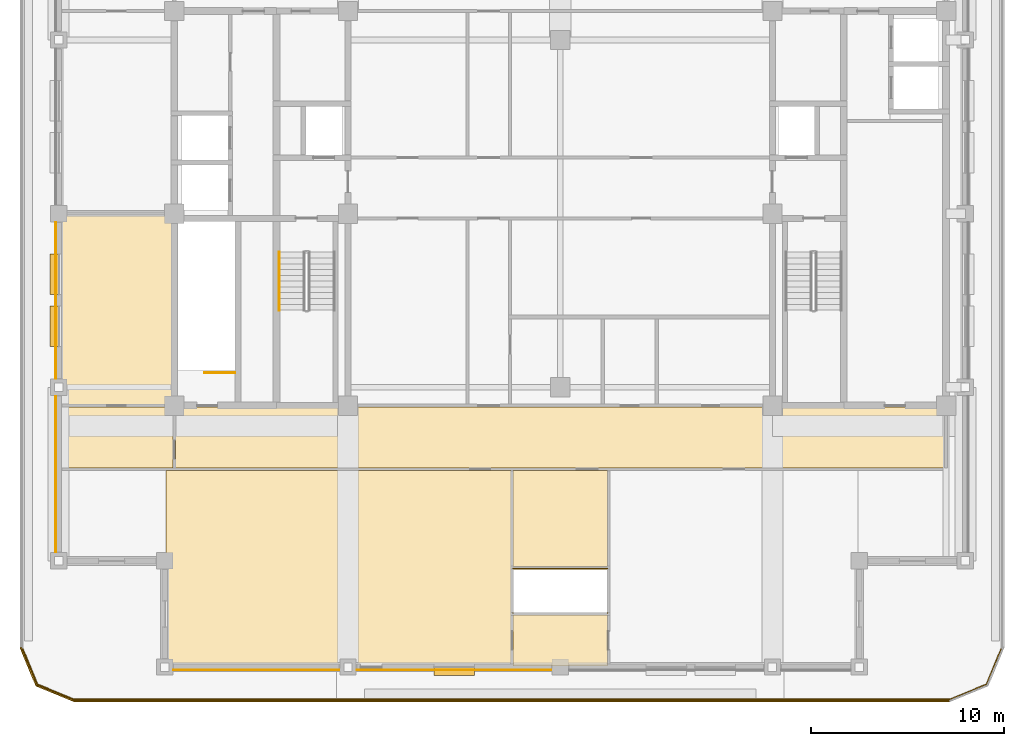
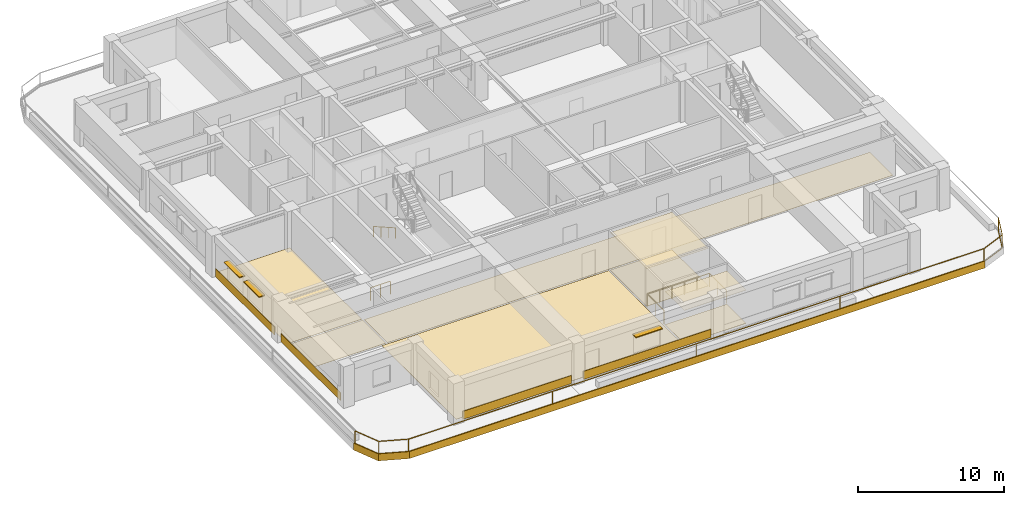
# One storey, part 7 of 11: 15 coverings, 4 railings, 3 shading devices.
"""IFC4 building model written with IfcOpenShell, lengths in metres."""

from ifc_helpers import new_model, si_unit, direction, frame, frame_2d, origin, origin_2d, place, context, subcontext, project, spatial, polyline, rectangle, outline, extrude, material, layer, layer_set, type_object, element, save


model = new_model("IFC4")

# Units and contexts
model_context = context("Model", 3, precision=1e-05, world=origin(), true_north=direction((0.0, 1.0)))
body_context = subcontext(model_context, "Body", "Model", "MODEL_VIEW")
ifc_project = project(units=[si_unit("LENGTHUNIT", "METRE"), si_unit("AREAUNIT", "SQUARE_METRE"), si_unit("VOLUMEUNIT", "CUBIC_METRE"), si_unit("PLANEANGLEUNIT", "RADIAN"), si_unit("MASSUNIT", "GRAM", prefix="KILO")], contexts=[model_context])

# Site, building, storey
site_placement = place(None, origin())
site = spatial("IfcSite", under=ifc_project, at=site_placement, CompositionType="ELEMENT")
building_placement = place(site_placement, origin())
building = spatial("IfcBuilding", under=site, at=building_placement, Name="Zulmaris Gate Convention Tower", CompositionType="ELEMENT")
storey_placement = place(building_placement, frame((0.0, 0.0, 278.06005859375)))
storey = spatial("IfcBuildingStorey", under=building, at=storey_placement, Name="L74", CompositionType="ELEMENT", Elevation=278.06005859375)

# Coverings
ifc_material_1 = material(Name="Precast concrete C40/50", Category="concrete")
ifc_layer_1 = layer(ifc_material_1, 0.0400390625, Name="Precast concrete C40/50")
ifc_layer_set_1 = layer_set([ifc_layer_1], Name="Precast concrete C40/50")
covering_type_1 = type_object("IfcCoveringType", Name="CLAD-SPANDREL-PRECAST", PredefinedType="CLADDING", material=ifc_layer_set_1)
covering_1_placement = place(storey_placement, frame((-20.044921875, -23.64990234375, 0.0), z_axis=(0.0, 0.0, 1.0), x_axis=(1.0, 0.0, 0.0)))
element("IfcCovering", 1, at=covering_1_placement, inside=storey, type_object=covering_type_1, Name="CLD-L74-S-0_0", PredefinedType="CLADDING", context=body_context, shape_type="SweptSolid", body=[
    extrude(rectangle(XDim=8.58984375, YDim=0.0400390625, at=frame_2d((4.294921875, 0.0))), origin(), (0.0, 0.0, 1.0), 0.679931640625),
])
covering_2_placement = place(storey_placement, frame((-10.544921875, -23.64990234375, 0.0), z_axis=(0.0, 0.0, 1.0), x_axis=(1.0, 0.0, 0.0)))
element("IfcCovering", 2, at=covering_2_placement, inside=storey, type_object=covering_type_1, Name="CLD-L74-S-1_0", PredefinedType="CLADDING", context=body_context, shape_type="SweptSolid", body=[
    extrude(rectangle(XDim=10.08984375, YDim=0.0400390625, at=frame_2d((5.044921875, 0.0))), origin(), (0.0, 0.0, 1.0), 0.679931640625),
])
for number, where, z_axis, x_axis, name in (
    (3, (-26.14990234375, -9.455078125, 0.0), (0.0, 0.0, 1.0), (0.0, -1.0, 0.0), "CLD-L74-W-0_0"),
    (4, (-26.14990234375, -0.455078125, 0.0), (0.0, 0.0, 1.0), (0.0, -1.0, 0.0), "CLD-L74-W-1_0"),
):
    element("IfcCovering", number, at=place(storey_placement, frame(where, z_axis=z_axis, x_axis=x_axis)), inside=storey, type_object=covering_type_1, Name=name, PredefinedType="CLADDING", context=body_context, shape_type="SweptSolid", body=[
        extrude(rectangle(XDim=8.08984375, YDim=0.0400390625, at=frame_2d((4.044921875, 0.0))), origin(), (0.0, 0.0, 1.0), 0.679931640625),
    ])
ifc_material_2 = material(Name="White Glazed Architectural Precast Concrete C40/50", Category="concrete")
ifc_layer_2 = layer(ifc_material_2, 0.080078125, Name="White Glazed Architectural Precast Concrete C40/50")
ifc_layer_set_2 = layer_set([ifc_layer_2], Name="White Glazed Architectural Precast Concrete C40/50")
covering_type_2 = type_object("IfcCoveringType", Name="CLAD-TRAY-FASCIA", PredefinedType="CLADDING", material=ifc_layer_set_2)
covering_3_placement = place(storey_placement, frame((-27.962890625, -22.484619140625, -0.46484375), z_axis=(0.0, 0.0, 1.0), x_axis=(0.382656984709, -0.923890487046, 0.0)))
element("IfcCovering", 5, at=covering_3_placement, inside=storey, type_object=covering_type_2, Name="FSC-L74-TR-00", PredefinedType="CLADDING", context=body_context, shape_type="SweptSolid", body=[
    extrude(rectangle(XDim=2.14306640625, YDim=0.080078125, at=frame_2d((1.071533203125, 0.0))), origin(), (0.0, 0.0, 1.0), 0.5849609375),
])
covering_4_placement = place(storey_placement, frame((-27.16455078125, -24.44287109375, -0.46484375), z_axis=(0.0, 0.0, 1.0), x_axis=(0.923873803533, -0.382697263049, 0.0)))
element("IfcCovering", 6, at=covering_4_placement, inside=storey, type_object=covering_type_2, Name="FSC-L74-TR-01", PredefinedType="CLADDING", context=body_context, shape_type="SweptSolid", body=[
    extrude(rectangle(XDim=2.142822265625, YDim=0.080078125, at=frame_2d((1.0712890625, 0.0))), origin(), (0.0, 0.0, 1.0), 0.5849609375),
])
covering_5_placement = place(storey_placement, frame((-25.199951171875, -25.260009765625, -0.46484375), z_axis=(0.0, 0.0, 1.0), x_axis=(1.0, 0.0, 0.0)))
element("IfcCovering", 7, at=covering_5_placement, inside=storey, type_object=covering_type_2, Name="FSC-L74-TR-02", PredefinedType="CLADDING", context=body_context, shape_type="SweptSolid", body=[
    extrude(rectangle(XDim=45.39990234375, YDim=0.080078125, at=frame_2d((22.699951171875, 0.0))), origin(), (0.0, 0.0, 1.0), 0.5849609375),
])
ifc_material_3 = material(Name="Mineral Fibre Acoustic Ceiling Tile")
ifc_layer_3 = layer(ifc_material_3, 0.02001953125, Name="Mineral Fibre Acoustic Ceiling Tile")
ifc_layer_set_3 = layer_set([ifc_layer_3], Name="Mineral Fibre Acoustic Ceiling Tile")
covering_type_3 = type_object("IfcCoveringType", Name="CLG-ACOUSTIC-600", PredefinedType="CEILING", material=ifc_layer_set_3)
covering_6_placement = place(storey_placement, frame((0.0, 0.0, 2.77490234375)))
element("IfcCovering", 8, at=covering_6_placement, inside=storey, type_object=covering_type_3, Name="CLG-L74-R35", PredefinedType="CEILING", context=body_context, shape_type="SweptSolid", body=[
    extrude(outline(polyline([(-2.43994140625, -23.43994140625), (2.43994140625, -23.43994140625), (2.43994140625, -20.81005859375), (-2.43994140625, -20.81005859375), (-2.43994140625, -23.43994140625)])), origin(), (0.0, 0.0, 1.0), 0.02001953125),
])
covering_7_placement = place(storey_placement, frame((0.0, 0.0, 3.135009765625)))
element("IfcCovering", 9, at=covering_7_placement, inside=storey, type_object=covering_type_3, Name="CLG-L74-R36", PredefinedType="CEILING", context=body_context, shape_type="SweptSolid", body=[
    extrude(outline(polyline([(-2.43994140625, -18.2900390625), (2.43994140625, -18.2900390625), (2.43994140625, -13.31005859375), (-2.43994140625, -13.31005859375), (-2.43994140625, -18.2900390625)])), origin(), (0.0, 0.0, 1.0), 0.02001953125),
])
ifc_material_4 = material(Name="Woven Acoustic Wool Carpet Tile")
ifc_layer_4 = layer(ifc_material_4, 0.02001953125, Name="Woven Acoustic Wool Carpet Tile")
ifc_layer_set_4 = layer_set([ifc_layer_4], Name="Woven Acoustic Wool Carpet Tile")
covering_type_4 = type_object("IfcCoveringType", Name="FLR-CARPET-12", PredefinedType="FLOORING", material=ifc_layer_set_4)
covering_8_placement = place(storey_placement, origin())
element("IfcCovering", 10, at=covering_8_placement, inside=storey, type_object=covering_type_4, Name="FLR-L74-R26", PredefinedType="FLOORING", context=body_context, shape_type="SweptSolid", body=[
    extrude(outline(polyline([(-19.93994140625, -13.18994140625), (19.93994140625, -13.18994140625), (19.93994140625, -10.010009765625), (-19.93994140625, -10.010009765625), (-19.93994140625, -13.18994140625)])), origin(), (0.0, 0.0, 1.0), 0.02001953125),
])
covering_9_placement = place(storey_placement, origin())
element("IfcCovering", 11, at=covering_9_placement, inside=storey, type_object=covering_type_4, Name="FLR-L74-R37", PredefinedType="FLOORING", context=body_context, shape_type="SweptSolid", body=[
    extrude(outline(polyline([(-20.43994140625, -23.43994140625), (-2.56005859375, -23.43994140625), (-2.56005859375, -13.31005859375), (-20.43994140625, -13.31005859375), (-20.43994140625, -23.43994140625)])), origin(), (0.0, 0.0, 1.0), 0.02001953125),
])
covering_10_placement = place(storey_placement, origin())
element("IfcCovering", 12, at=covering_10_placement, inside=storey, type_object=covering_type_4, Name="FLR-L74-R47", PredefinedType="FLOORING", context=body_context, shape_type="SweptSolid", body=[
    extrude(outline(polyline([(-25.93994140625, -13.18994140625), (-20.06005859375, -13.18994140625), (-20.06005859375, -10.010009765625), (-25.93994140625, -10.010009765625), (-25.93994140625, -13.18994140625)])), origin(), (0.0, 0.0, 1.0), 0.02001953125),
])
covering_11_placement = place(storey_placement, origin())
element("IfcCovering", 13, at=covering_11_placement, inside=storey, type_object=covering_type_4, Name="FLR-L74-R49", PredefinedType="FLOORING", context=body_context, shape_type="SweptSolid", body=[
    extrude(outline(polyline([(-25.93994140625, -9.889892578125), (-20.06005859375, -9.889892578125), (-20.06005859375, -0.06005859375), (-25.93994140625, -0.06005859375), (-25.93994140625, -9.889892578125)])), origin(), (0.0, 0.0, 1.0), 0.02001953125),
])
ifc_material_5 = material(Name="Engineered Teak Parquet Flooring")
ifc_layer_5 = layer(ifc_material_5, 0.02001953125, Name="Engineered Teak Parquet Flooring")
ifc_layer_set_5 = layer_set([ifc_layer_5], Name="Engineered Teak Parquet Flooring")
covering_type_5 = type_object("IfcCoveringType", Name="FLR-TIMBER-18", PredefinedType="FLOORING", material=ifc_layer_set_5)
covering_12_placement = place(storey_placement, origin())
element("IfcCovering", 14, at=covering_12_placement, inside=storey, type_object=covering_type_5, Name="FLR-L74-R35", PredefinedType="FLOORING", context=body_context, shape_type="SweptSolid", body=[
    extrude(outline(polyline([(-2.43994140625, -23.43994140625), (2.43994140625, -23.43994140625), (2.43994140625, -20.81005859375), (-2.43994140625, -20.81005859375), (-2.43994140625, -23.43994140625)])), origin(), (0.0, 0.0, 1.0), 0.02001953125),
])
covering_13_placement = place(storey_placement, origin())
element("IfcCovering", 15, at=covering_13_placement, inside=storey, type_object=covering_type_5, Name="FLR-L74-R36", PredefinedType="FLOORING", context=body_context, shape_type="SweptSolid", body=[
    extrude(outline(polyline([(-2.43994140625, -18.2900390625), (2.43994140625, -18.2900390625), (2.43994140625, -13.31005859375), (-2.43994140625, -13.31005859375), (-2.43994140625, -18.2900390625)])), origin(), (0.0, 0.0, 1.0), 0.02001953125),
])

# Railings
ifc_material_6 = material(Name="Laminated Glass and Stainless Steel", Category="steel")
railing_type_1 = type_object("IfcRailingType", Name="RL-BALC-1150", PredefinedType="BALUSTRADE", material=ifc_material_6)
railing_1_placement = place(storey_placement, frame((-27.8798828125, -22.5, -0.0400390625)))
element("IfcRailing", 16, at=railing_1_placement, inside=storey, type_object=railing_type_1, Name="RL-L74-BALC-S", PredefinedType="BALUSTRADE", context=body_context, shape_type="SweptSolid", body=[
    extrude(rectangle(XDim=0.048095703125, YDim=0.048095703125, at=origin_2d()), frame((0.0, 0.0, 1.1259765625), z_axis=(0.382670664694, -0.92388482095, 0.0), x_axis=(0.92388482095, 0.382670664694, 0.0)), (0.0, 0.0, 1.0), 2.051025390625),
    extrude(rectangle(XDim=0.048095703125, YDim=0.048095703125, at=origin_2d()), frame((0.0, 0.0, 0.02392578125), z_axis=(0.382670664694, -0.92388482095, 0.0), x_axis=(0.92388482095, 0.382670664694, 0.0)), (0.0, 0.0, 1.0), 2.051025390625),
    extrude(rectangle(XDim=0.048095703125, YDim=0.048095703125, at=origin_2d()), frame((0.784912109375, -1.89501953125, 1.1259765625), z_axis=(0.92388482095, -0.382670664694, 0.0), x_axis=(0.382670664694, 0.92388482095, 0.0)), (0.0, 0.0, 1.0), 2.051025390625),
    extrude(rectangle(XDim=0.048095703125, YDim=0.048095703125, at=origin_2d()), frame((0.784912109375, -1.89501953125, 0.02392578125), z_axis=(0.92388482095, -0.382670664694, 0.0), x_axis=(0.382670664694, 0.92388482095, 0.0)), (0.0, 0.0, 1.0), 2.051025390625),
    extrude(rectangle(XDim=0.048095703125, YDim=0.048095703125, at=origin_2d()), frame((2.679931640625, -2.679931640625, 1.1259765625), z_axis=(1.0, 0.0, 0.0), x_axis=(0.0, 1.0, 0.0)), (0.0, 0.0, 1.0), 45.39990234375),
    extrude(rectangle(XDim=0.048095703125, YDim=0.048095703125, at=origin_2d()), frame((2.679931640625, -2.679931640625, 0.02392578125), z_axis=(1.0, 0.0, 0.0), x_axis=(0.0, 1.0, 0.0)), (0.0, 0.0, 1.0), 45.39990234375),
    extrude(rectangle(XDim=0.048095703125, YDim=0.048095703125, at=origin_2d()), frame((48.079833984375, -2.679931640625, 1.1259765625), z_axis=(0.92388482095, 0.382670664694, 0.0), x_axis=(-0.382670664694, 0.92388482095, 0.0)), (0.0, 0.0, 1.0), 2.051025390625),
    extrude(rectangle(XDim=0.048095703125, YDim=0.048095703125, at=origin_2d()), frame((48.079833984375, -2.679931640625, 0.02392578125), z_axis=(0.92388482095, 0.382670664694, 0.0), x_axis=(-0.382670664694, 0.92388482095, 0.0)), (0.0, 0.0, 1.0), 2.051025390625),
    extrude(rectangle(XDim=0.048095703125, YDim=0.048095703125, at=origin_2d()), frame((49.974853515625, -1.89501953125, 1.1259765625), z_axis=(0.382670664694, 0.92388482095, 0.0), x_axis=(-0.92388482095, 0.382670664694, 0.0)), (0.0, 0.0, 1.0), 2.051025390625),
    extrude(rectangle(XDim=0.048095703125, YDim=0.048095703125, at=origin_2d()), frame((49.974853515625, -1.89501953125, 0.02392578125), z_axis=(0.382670664694, 0.92388482095, 0.0), x_axis=(-0.92388482095, 0.382670664694, 0.0)), (0.0, 0.0, 1.0), 2.051025390625),
    extrude(rectangle(XDim=0.0419921875, YDim=0.0419921875, at=origin_2d()), origin(), (0.0, 0.0, 1.0), 1.101806640625),
    extrude(rectangle(XDim=0.0419921875, YDim=0.0419921875, at=origin_2d()), frame((0.784912109375, -1.89501953125, 0.0)), (0.0, 0.0, 1.0), 1.101806640625),
    extrude(rectangle(XDim=0.0419921875, YDim=0.0419921875, at=origin_2d()), frame((2.679931640625, -2.679931640625, 0.0)), (0.0, 0.0, 1.0), 1.101806640625),
    extrude(rectangle(XDim=0.0419921875, YDim=0.0419921875, at=origin_2d()), frame((14.02978515625, -2.679931640625, 0.0)), (0.0, 0.0, 1.0), 1.101806640625),
    extrude(rectangle(XDim=0.0419921875, YDim=0.0419921875, at=origin_2d()), frame((25.3798828125, -2.679931640625, 0.0)), (0.0, 0.0, 1.0), 1.101806640625),
    extrude(rectangle(XDim=0.0419921875, YDim=0.0419921875, at=origin_2d()), frame((36.72998046875, -2.679931640625, 0.0)), (0.0, 0.0, 1.0), 1.101806640625),
    extrude(rectangle(XDim=0.0419921875, YDim=0.0419921875, at=origin_2d()), frame((48.079833984375, -2.679931640625, 0.0)), (0.0, 0.0, 1.0), 1.101806640625),
    extrude(rectangle(XDim=0.0419921875, YDim=0.0419921875, at=origin_2d()), frame((49.974853515625, -1.89501953125, 0.0)), (0.0, 0.0, 1.0), 1.101806640625),
    extrude(rectangle(XDim=0.0419921875, YDim=0.0419921875, at=origin_2d()), frame((50.759765625, 0.0, 0.0)), (0.0, 0.0, 1.0), 1.101806640625),
])
ifc_material_7 = material(Name="Painted Galvanised Steel", Category="steel")
railing_type_2 = type_object("IfcRailingType", Name="RL-GUARD-1150", PredefinedType="GUARDRAIL", material=ifc_material_7)
railing_2_placement = place(storey_placement, frame((-2.449951171875, -20.699951171875, 0.0)))
element("IfcRailing", 17, at=railing_2_placement, inside=storey, type_object=railing_type_2, Name="RL-L74-SKYGARDEN-VOID", PredefinedType="GUARDRAIL", context=body_context, shape_type="SweptSolid", body=[
    extrude(rectangle(XDim=0.048095703125, YDim=0.048095703125, at=origin_2d()), frame((0.0, 0.0, 1.1259765625), z_axis=(0.0, 1.0, 0.0), x_axis=(-1.0, 0.0, 0.0)), (0.0, 0.0, 1.0), 2.300048828125),
    extrude(rectangle(XDim=0.048095703125, YDim=0.048095703125, at=origin_2d()), frame((0.0, 2.300048828125, 1.1259765625), z_axis=(1.0, 0.0, 0.0), x_axis=(0.0, 1.0, 0.0)), (0.0, 0.0, 1.0), 4.89990234375),
    extrude(rectangle(XDim=0.048095703125, YDim=0.048095703125, at=origin_2d()), frame((4.89990234375, 2.300048828125, 1.1259765625), z_axis=(0.0, -1.0, 0.0), x_axis=(1.0, 0.0, 0.0)), (0.0, 0.0, 1.0), 2.300048828125),
    extrude(rectangle(XDim=0.0419921875, YDim=0.0419921875, at=origin_2d()), origin(), (0.0, 0.0, 1.0), 1.101806640625),
    extrude(rectangle(XDim=0.0419921875, YDim=0.0419921875, at=origin_2d()), frame((0.0, 1.14990234375, 0.0)), (0.0, 0.0, 1.0), 1.101806640625),
    extrude(rectangle(XDim=0.0419921875, YDim=0.0419921875, at=origin_2d()), frame((0.0, 2.300048828125, 0.0)), (0.0, 0.0, 1.0), 1.101806640625),
    extrude(rectangle(XDim=0.0419921875, YDim=0.0419921875, at=origin_2d()), frame((0.97998046875, 2.300048828125, 0.0)), (0.0, 0.0, 1.0), 1.101806640625),
    extrude(rectangle(XDim=0.0419921875, YDim=0.0419921875, at=origin_2d()), frame((1.9599609375, 2.300048828125, 0.0)), (0.0, 0.0, 1.0), 1.101806640625),
    extrude(rectangle(XDim=0.0419921875, YDim=0.0419921875, at=origin_2d()), frame((2.93994140625, 2.300048828125, 0.0)), (0.0, 0.0, 1.0), 1.101806640625),
    extrude(rectangle(XDim=0.0419921875, YDim=0.0419921875, at=origin_2d()), frame((3.919921875, 2.300048828125, 0.0)), (0.0, 0.0, 1.0), 1.101806640625),
    extrude(rectangle(XDim=0.0419921875, YDim=0.0419921875, at=origin_2d()), frame((4.89990234375, 2.300048828125, 0.0)), (0.0, 0.0, 1.0), 1.101806640625),
    extrude(rectangle(XDim=0.0419921875, YDim=0.0419921875, at=origin_2d()), frame((4.89990234375, 1.14990234375, 0.0)), (0.0, 0.0, 1.0), 1.101806640625),
    extrude(rectangle(XDim=0.0419921875, YDim=0.0419921875, at=origin_2d()), frame((4.89990234375, 0.0, 0.0)), (0.0, 0.0, 1.0), 1.101806640625),
])
railing_type_3 = type_object("IfcRailingType", Name="RL-STG-1150", PredefinedType="GUARDRAIL", material=ifc_material_7)
railing_3_placement = place(storey_placement, frame((-16.860107421875, -8.25, 0.0)))
element("IfcRailing", 18, at=railing_3_placement, inside=storey, type_object=railing_type_3, Name="L74 ST-3 top well guard 1", PredefinedType="GUARDRAIL", context=body_context, shape_type="SweptSolid", body=[
    extrude(rectangle(XDim=0.048095703125, YDim=0.048095703125, at=origin_2d()), frame((0.0, 0.0, 1.076171875), z_axis=(-1.0, 0.0, 0.0), x_axis=(0.0, -1.0, 0.0)), (0.0, 0.0, 1.0), 1.559814453125),
    extrude(rectangle(XDim=0.0419921875, YDim=0.0419921875, at=origin_2d()), origin(), (0.0, 0.0, 1.0), 1.052001953125),
    extrude(rectangle(XDim=0.0419921875, YDim=0.0419921875, at=origin_2d()), frame((-0.77978515625, 0.0, 0.0)), (0.0, 0.0, 1.0), 1.052001953125),
    extrude(rectangle(XDim=0.0419921875, YDim=0.0419921875, at=origin_2d()), frame((-1.559814453125, 0.0, 0.0)), (0.0, 0.0, 1.0), 1.052001953125),
])
ifc_material_8 = material(Name="Brushed Stainless Steel", Category="steel")
railing_type_4 = type_object("IfcRailingType", Name="RL-STH-900", PredefinedType="HANDRAIL", material=ifc_material_8)
railing_4_placement = place(storey_placement, frame((-14.570068359375, -2.0, 0.169921875)))
element("IfcRailing", 19, at=railing_4_placement, inside=storey, type_object=railing_type_4, Name="L74 ST-1 stair handrail 1", PredefinedType="HANDRAIL", context=body_context, shape_type="SweptSolid", body=[
    extrude(rectangle(XDim=0.048095703125, YDim=0.048095703125, at=origin_2d()), frame((0.0, 0.0, 0.8759765625), z_axis=(0.0, -0.870028259722, 0.493001853226), x_axis=(1.0, 0.0, 0.0)), (0.0, 0.0, 1.0), 3.4482421875),
    extrude(rectangle(XDim=0.0419921875, YDim=0.0419921875, at=origin_2d()), origin(), (0.0, 0.0, 1.0), 0.851806640625),
    extrude(rectangle(XDim=0.0419921875, YDim=0.0419921875, at=origin_2d()), frame((0.0, -1.0, 0.566650390625)), (0.0, 0.0, 1.0), 0.851806640625),
    extrude(rectangle(XDim=0.0419921875, YDim=0.0419921875, at=origin_2d()), frame((0.0, -2.0, 1.13330078125)), (0.0, 0.0, 1.0), 0.851806640625),
    extrude(rectangle(XDim=0.0419921875, YDim=0.0419921875, at=origin_2d()), frame((0.0, -3.0, 1.699951171875)), (0.0, 0.0, 1.0), 0.851806640625),
])

# Shading devices
ifc_material_9 = material(Name="Glazed Ceramic Terracotta", Category="masonry")
ifc_layer_6 = layer(ifc_material_9, 0.070068359375, Name="Glazed Ceramic Terracotta")
ifc_layer_set_6 = layer_set([ifc_layer_6], Name="Glazed Ceramic Terracotta")
shading_device_type = type_object("IfcShadingDeviceType", Name="SHD-SUNSHADE-TC", PredefinedType="AWNING", material=ifc_layer_set_6)
shading_device_placement = place(storey_placement, frame((-6.550048828125, -23.719970703125, 2.22998046875), z_axis=(0.0, 0.0, 1.0), x_axis=(1.0, 0.0, 0.0)))
element("IfcShadingDevice", 20, at=shading_device_placement, inside=storey, type_object=shading_device_type, Name="SHD-EW-L74-S-1_0-2", PredefinedType="AWNING", context=body_context, shape_type="SweptSolid", body=[
    extrude(rectangle(XDim=2.10009765625, YDim=0.43994140625, at=frame_2d((1.050048828125, 0.0))), origin(), (0.0, 0.0, 1.0), 0.070068359375),
])
for number, where, z_axis, x_axis, name in (
    (21, (-26.219970703125, -2.10205078125, 2.22998046875), (0.0, 0.0, 1.0), (0.0, -1.0, 0.0), "SHD-EW-L74-W-1_0-1"),
    (22, (-26.219970703125, -4.798095703125, 2.22998046875), (0.0, 0.0, 1.0), (0.0, -1.0, 0.0), "SHD-EW-L74-W-1_0-2"),
):
    element("IfcShadingDevice", number, at=place(storey_placement, frame(where, z_axis=z_axis, x_axis=x_axis)), inside=storey, type_object=shading_device_type, Name=name, PredefinedType="AWNING", context=body_context, shape_type="SweptSolid", body=[
        extrude(rectangle(XDim=2.099853515625, YDim=0.43994140625, at=frame_2d((1.0498046875, 0.0))), origin(), (0.0, 0.0, 1.0), 0.070068359375),
    ])

save(model, "model.ifc")
